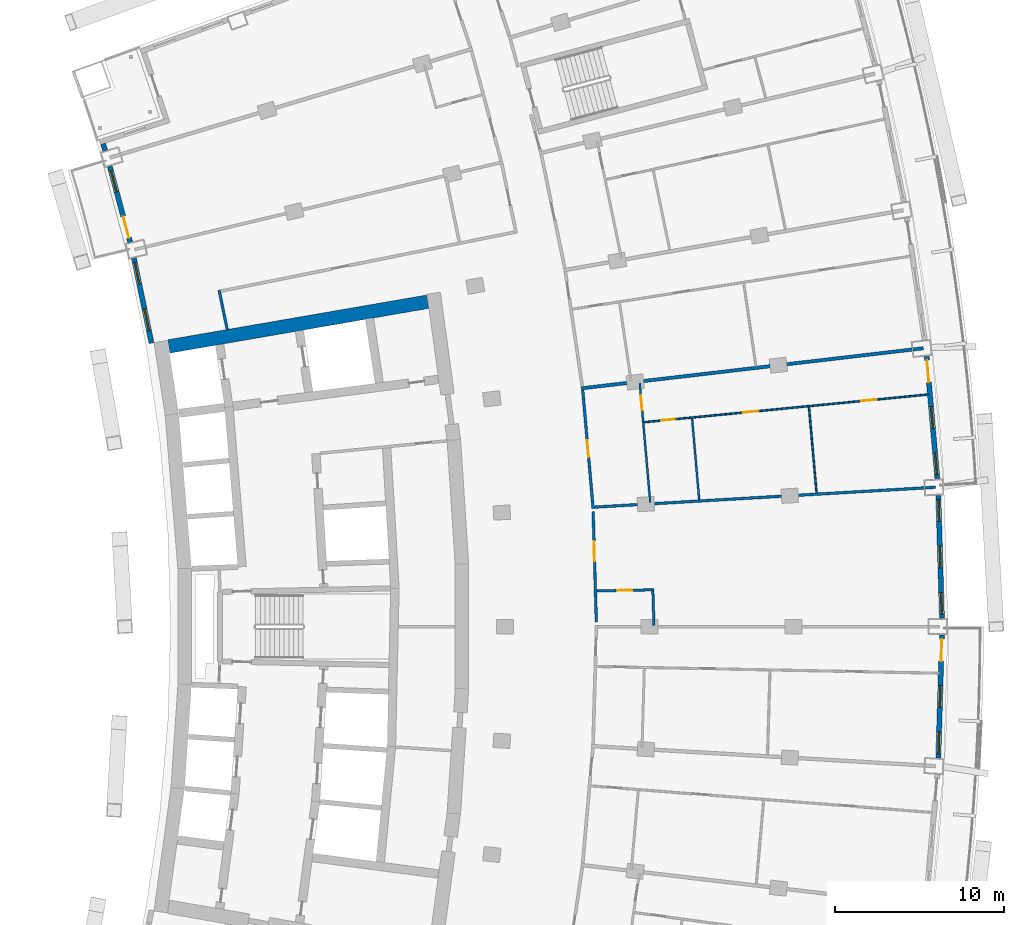
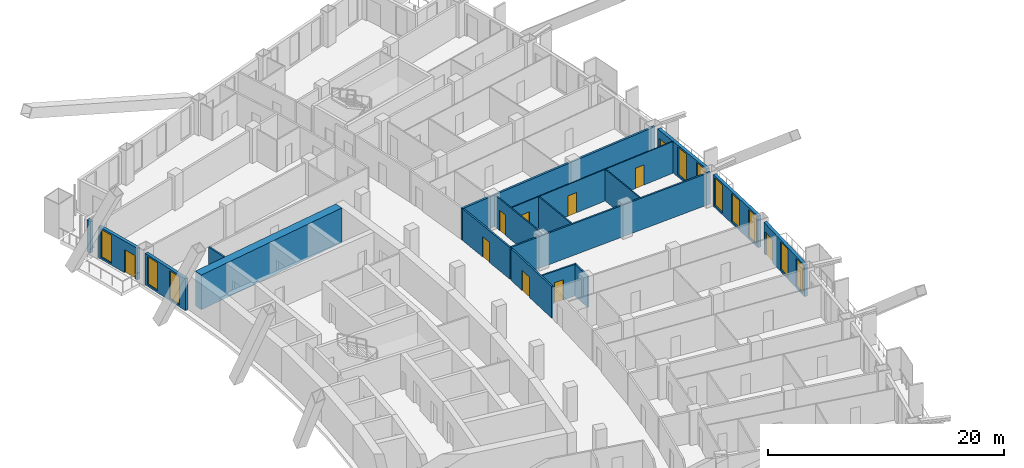
# One storey, part 18 of 25: 18 walls, 10 doors, 10 windows, 20 openings.
"""IFC4 building model written with IfcOpenShell, lengths in metres."""

from ifc_helpers import new_model, si_unit, direction, frame, frame_2d, origin, place, context, subcontext, project, spatial, rectangle, extrude, material, layer, layer_set, type_object, element, fill, save


model = new_model("IFC4")

# Units and contexts
model_context = context("Model", 3, precision=1e-05, world=origin(), true_north=direction((0.0, 1.0)))
body_context = subcontext(model_context, "Body", "Model", "MODEL_VIEW")
ifc_project = project(units=[si_unit("LENGTHUNIT", "METRE"), si_unit("AREAUNIT", "SQUARE_METRE"), si_unit("VOLUMEUNIT", "CUBIC_METRE"), si_unit("PLANEANGLEUNIT", "RADIAN"), si_unit("MASSUNIT", "GRAM", prefix="KILO")], contexts=[model_context])

# Site, building, storey
site_placement = place(None, origin())
site = spatial("IfcSite", under=ifc_project, at=site_placement, CompositionType="ELEMENT")
building_placement = place(site_placement, origin())
building = spatial("IfcBuilding", under=site, at=building_placement, Name="Alderwake Tower", CompositionType="ELEMENT")
storey_placement = place(building_placement, frame((0.0, 0.0, 93.199951171875)))
storey = spatial("IfcBuildingStorey", under=building, at=storey_placement, Name="L22", CompositionType="ELEMENT", Elevation=93.199951171875)

# Walls
ifc_material_1 = material(Name="Concrete C70/85", Category="concrete")
ifc_layer_1 = layer(ifc_material_1, 0.800048828125)
ifc_layer_set_1 = layer_set([ifc_layer_1], Name="Core wall outer 800 C70-85")
wall_type_1 = type_object("IfcWallType", Name="Core wall outer 800 C70-85", PredefinedType="SHEAR", material=ifc_layer_set_1)
wall_1_placement = place(storey_placement, frame((15.900146484375, 77.577880859375, 0.0), z_axis=(0.0, 0.0, 1.0), x_axis=(0.985386601125, 0.170332751763, 0.0)))
element("IfcWall", 1, at=wall_1_placement, inside=storey, type_object=wall_type_1, Name="Core wall CW.054", PredefinedType="SHEAR", context=body_context, shape_type="SweptSolid", body=[
    extrude(rectangle(XDim=15.531494140625, YDim=0.800048828125, at=frame_2d((7.765625, 0.0))), origin(), (0.0, 0.0, 1.0), 3.60009765625),
])
ifc_material_2 = material(Name="Gypsum board on metal studs, rated")
ifc_layer_2 = layer(ifc_material_2, 0.159912109375)
ifc_layer_set_2 = layer_set([ifc_layer_2], Name="Corridor wall 160")
wall_type_2 = type_object("IfcWallType", Name="Corridor wall 160", PredefinedType="PARTITIONING", material=ifc_layer_set_2)
wall_2_placement = place(storey_placement, frame((18.874755859375, 80.910400390625, 0.0), z_axis=(0.0, 0.0, 1.0), x_axis=(0.202312089075, -0.979321100873, 0.0)))
element("IfcWall", 2, at=wall_2_placement, inside=storey, type_object=wall_type_2, Name="WL/L22/W21", PredefinedType="PARTITIONING", context=body_context, shape_type="SweptSolid", body=[
    extrude(rectangle(XDim=2.39306640625, YDim=0.159912109375, at=frame_2d((1.196533203125, 0.0))), origin(), (0.0, 0.0, 1.0), 3.280029296875),
])

# Wall, opening, door
wall_3_placement = place(storey_placement, frame((40.3857421875, 75.00830078125, 0.0), z_axis=(0.0, 0.0, 1.0), x_axis=(0.087430787456, -0.996170596537, 0.0)))
wall_3 = element("IfcWall", 3, at=wall_3_placement, inside=storey, type_object=wall_type_2, Name="WL/L22/W42", PredefinedType="PARTITIONING", context=body_context, shape_type="SweptSolid", body=[
    extrude(rectangle(XDim=7.048095703125, YDim=0.159912109375, at=frame_2d((3.52392578125, 0.0))), origin(), (0.0, 0.0, 1.0), 3.280029296875),
])
opening_1_placement = place(wall_3_placement, frame((2.984619140625, 0.0, 0.0)))
opening_1 = element("IfcOpeningElement", 4, at=opening_1_placement, cuts=wall_3, Name="Opening R06-U09.2", PredefinedType="OPENING", context=body_context, shape_type="SweptSolid", body=[
    extrude(rectangle(XDim=1.0, YDim=2.10009765625, at=frame_2d((0.5, 1.050048828125))), frame((0.0, 0.08984375, 0.0), z_axis=(0.0, -1.0, 0.0), x_axis=(1.0, 0.0, 0.0)), (0.0, 0.0, 1.0), 0.179931640625),
])
ifc_material_3 = material(Name="Solid timber leaf in steel frame", Category="steel")
door_type_1 = type_object("IfcDoorType", Name="Flat entrance door 1000 fire-rated", OperationType="SINGLE_SWING_LEFT", PredefinedType="DOOR", material=ifc_material_3)
door_1_placement = place(opening_1_placement, origin())
door_1 = element("IfcDoor", 5, at=door_1_placement, inside=storey, type_object=door_type_1, Name="DR/L22/U09.2", OperationType="SINGLE_SWING_LEFT", OverallHeight=2.10009765625, OverallWidth=1.0, PredefinedType="DOOR", context=body_context, shape_type="SweptSolid", body=[
    extrude(rectangle(XDim=1.0, YDim=2.10009765625, at=frame_2d((0.5, 1.050048828125))), frame((0.0, 0.02490234375, 0.0), z_axis=(0.0, -1.0, 0.0), x_axis=(1.0, 0.0, 0.0)), (0.0, 0.0, 1.0), 0.050048828125),
])
fill(opening_1, door_1)

wall_4_placement = place(storey_placement, frame((41.002685546875, 67.80029296875, 0.0), z_axis=(0.0, 0.0, 1.0), x_axis=(0.02886788617, -0.999583235728, 0.0)))
wall_4 = element("IfcWall", 6, at=wall_4_placement, inside=storey, type_object=wall_type_2, Name="WL/L22/W43", PredefinedType="PARTITIONING", context=body_context, shape_type="SweptSolid", body=[
    extrude(rectangle(XDim=6.537353515625, YDim=0.159912109375, at=frame_2d((3.2685546875, 0.0))), origin(), (0.0, 0.0, 1.0), 3.280029296875),
])
opening_2_placement = place(wall_4_placement, frame((1.7412109375, 0.0, 0.0)))
opening_2 = element("IfcOpeningElement", 7, at=opening_2_placement, cuts=wall_4, Name="Opening R06-AM1.1", PredefinedType="OPENING", context=body_context, shape_type="SweptSolid", body=[
    extrude(rectangle(XDim=1.199951171875, YDim=2.10009765625, at=frame_2d((0.60009765625, 1.050048828125))), frame((0.0, 0.08984375, 0.0), z_axis=(0.0, -1.0, 0.0), x_axis=(1.0, 0.0, 0.0)), (0.0, 0.0, 1.0), 0.179931640625),
])
ifc_material_4 = material(Name="Steel-framed fire door leaf", Category="steel")
door_type_2 = type_object("IfcDoorType", Name="Lobby door 1200 fire-rated", OperationType="SINGLE_SWING_LEFT", PredefinedType="DOOR", material=ifc_material_4)
door_2_placement = place(opening_2_placement, origin())
door_2 = element("IfcDoor", 8, at=door_2_placement, inside=storey, type_object=door_type_2, Name="DR/L22/AM1.1", OperationType="SINGLE_SWING_LEFT", OverallHeight=2.10009765625, OverallWidth=1.199951171875, PredefinedType="DOOR", context=body_context, shape_type="SweptSolid", body=[
    extrude(rectangle(XDim=1.199951171875, YDim=2.10009765625, at=frame_2d((0.60009765625, 1.050048828125))), frame((0.0, 0.02490234375, 0.0), z_axis=(0.0, -1.0, 0.0), x_axis=(1.0, 0.0, 0.0)), (0.0, 0.0, 1.0), 0.050048828125),
])
fill(opening_2, door_2)

# Wall
wall_5_placement = place(storey_placement, frame((61.260009765625, 69.2490234375, 0.0), z_axis=(0.0, 0.0, 1.0), x_axis=(-0.998303560932, -0.058223708493, 0.0)))
element("IfcWall", 9, at=wall_5_placement, inside=storey, type_object=wall_type_2, Name="WL/L22/W44", PredefinedType="PARTITIONING", context=body_context, shape_type="SweptSolid", body=[
    extrude(rectangle(XDim=20.21923828125, YDim=0.159912109375, at=frame_2d((10.109619140625, 0.0))), origin(), (0.0, 0.0, 1.0), 3.280029296875),
])

# Wall, openings, door, windows
ifc_material_5 = material(Name="Precast concrete C50/60 spandrel panel", Category="concrete")
ifc_layer_3 = layer(ifc_material_5, 0.300048828125)
ifc_layer_set_3 = layer_set([ifc_layer_3], Name="External wall EW1 Precast concrete C50/60 spandrel")
wall_type_3 = type_object("IfcWallType", Name="External wall EW1 Precast concrete C50/60 spandrel", PredefinedType="SOLIDWALL", material=ifc_layer_set_3)
wall_6_placement = place(storey_placement, frame((61.423583984375, 53.240478515625, 0.0), z_axis=(0.0, 0.0, 1.0), x_axis=(0.029172877937, 0.999574381021, 0.0)))
wall_6 = element("IfcWall", 10, at=wall_6_placement, inside=storey, type_object=wall_type_3, Name="External wall 16", PredefinedType="SOLIDWALL", context=body_context, shape_type="SweptSolid", body=[
    extrude(rectangle(XDim=7.26416015625, YDim=0.300048828125, at=frame_2d((3.632080078125, 0.0))), origin(), (0.0, 0.0, 1.0), 3.280029296875),
])
opening_3_placement = place(wall_6_placement, frame((0.23291015625, 0.0, 0.199951171875)))
opening_3 = element("IfcOpeningElement", 11, at=opening_3_placement, cuts=wall_6, Name="Opening W1", PredefinedType="OPENING", context=body_context, shape_type="SweptSolid", body=[
    extrude(rectangle(XDim=1.300048828125, YDim=2.89990234375, at=frame_2d((0.64990234375, 1.449951171875))), frame((0.0, 0.159912109375, 0.0), z_axis=(0.0, -1.0, 0.0), x_axis=(1.0, 0.0, 0.0)), (0.0, 0.0, 1.0), 0.320068359375),
])
opening_4_placement = place(wall_6_placement, frame((2.98193359375, 0.0, 0.199951171875)))
opening_4 = element("IfcOpeningElement", 12, at=opening_4_placement, cuts=wall_6, Name="Opening W1", PredefinedType="OPENING", context=body_context, shape_type="SweptSolid", body=[
    extrude(rectangle(XDim=1.300048828125, YDim=2.89990234375, at=frame_2d((0.64990234375, 1.449951171875))), frame((0.0, 0.159912109375, 0.0), z_axis=(0.0, -1.0, 0.0), x_axis=(1.0, 0.0, 0.0)), (0.0, 0.0, 1.0), 0.320068359375),
])
opening_5_placement = place(wall_6_placement, frame((5.731201171875, 0.0, 0.0)))
opening_5 = element("IfcOpeningElement", 13, at=opening_5_placement, cuts=wall_6, Name="Opening D07", PredefinedType="OPENING", context=body_context, shape_type="SweptSolid", body=[
    extrude(rectangle(XDim=1.300048828125, YDim=2.39990234375, at=frame_2d((0.64990234375, 1.199951171875))), frame((0.0, 0.159912109375, 0.0), z_axis=(0.0, -1.0, 0.0), x_axis=(1.0, 0.0, 0.0)), (0.0, 0.0, 1.0), 0.320068359375),
])
ifc_material_6 = material(Name="Bronze tinted glass in aluminium frame", Category="aluminium")
door_type_3 = type_object("IfcDoorType", Name="Balcony door BD sliding", OperationType="SLIDING_TO_LEFT", PredefinedType="DOOR", material=ifc_material_6)
door_3_placement = place(opening_5_placement, origin())
door_3 = element("IfcDoor", 14, at=door_3_placement, inside=storey, type_object=door_type_3, Name="Door D07", OperationType="SLIDING_TO_LEFT", OverallHeight=2.39990234375, OverallWidth=1.300048828125, PredefinedType="DOOR", context=body_context, shape_type="SweptSolid", body=[
    extrude(rectangle(XDim=1.300048828125, YDim=2.39990234375, at=frame_2d((0.64990234375, 1.199951171875))), frame((0.0, 0.02490234375, 0.0), z_axis=(0.0, -1.0, 0.0), x_axis=(1.0, 0.0, 0.0)), (0.0, 0.0, 1.0), 0.050048828125),
])
fill(opening_5, door_3)
ifc_material_7 = material(Name="Bronze tinted glass in aluminium frame", Category="aluminium")
window_type = type_object("IfcWindowType", Name="Window W1 tall fixed and vent", PartitioningType="DOUBLE_PANEL_VERTICAL", PredefinedType="WINDOW", material=ifc_material_7)
window_1_placement = place(opening_3_placement, origin())
window_1 = element("IfcWindow", 15, at=window_1_placement, inside=storey, type_object=window_type, Name="Window W1 tall fixed and vent", OverallHeight=2.89990234375, OverallWidth=1.300048828125, PartitioningType="DOUBLE_PANEL_VERTICAL", PredefinedType="WINDOW", context=body_context, shape_type="SweptSolid", body=[
    extrude(rectangle(XDim=1.300048828125, YDim=2.89990234375, at=frame_2d((0.64990234375, 1.449951171875))), frame((0.0, 0.030029296875, 0.0), z_axis=(0.0, -1.0, 0.0), x_axis=(1.0, 0.0, 0.0)), (0.0, 0.0, 1.0), 0.06005859375),
])
fill(opening_3, window_1)
window_2_placement = place(opening_4_placement, origin())
window_2 = element("IfcWindow", 16, at=window_2_placement, inside=storey, type_object=window_type, Name="Window W1 tall fixed and vent", OverallHeight=2.89990234375, OverallWidth=1.300048828125, PartitioningType="DOUBLE_PANEL_VERTICAL", PredefinedType="WINDOW", context=body_context, shape_type="SweptSolid", body=[
    extrude(rectangle(XDim=1.300048828125, YDim=2.89990234375, at=frame_2d((0.64990234375, 1.449951171875))), frame((0.0, 0.030029296875, 0.0), z_axis=(0.0, -1.0, 0.0), x_axis=(1.0, 0.0, 0.0)), (0.0, 0.0, 1.0), 0.06005859375),
])
fill(opening_4, window_2)

# Wall, openings, windows
wall_7_placement = place(storey_placement, frame((61.635498046875, 61.49853515625, 0.0), z_axis=(0.0, 0.0, 1.0), x_axis=(-0.029172877937, 0.999574381021, 0.0)))
wall_7 = element("IfcWall", 17, at=wall_7_placement, inside=storey, type_object=wall_type_3, Name="External wall 17", PredefinedType="SOLIDWALL", context=body_context, shape_type="SweptSolid", body=[
    extrude(rectangle(XDim=7.26416015625, YDim=0.300048828125, at=frame_2d((3.632080078125, 0.0))), origin(), (0.0, 0.0, 1.0), 3.280029296875),
])
opening_6_placement = place(wall_7_placement, frame((0.23291015625, 0.0, 0.199951171875)))
opening_6 = element("IfcOpeningElement", 18, at=opening_6_placement, cuts=wall_7, Name="Opening W1", PredefinedType="OPENING", context=body_context, shape_type="SweptSolid", body=[
    extrude(rectangle(XDim=1.300048828125, YDim=2.89990234375, at=frame_2d((0.64990234375, 1.449951171875))), frame((0.0, 0.159912109375, 0.0), z_axis=(0.0, -1.0, 0.0), x_axis=(1.0, 0.0, 0.0)), (0.0, 0.0, 1.0), 0.320068359375),
])
opening_7_placement = place(wall_7_placement, frame((2.98193359375, 0.0, 0.199951171875)))
opening_7 = element("IfcOpeningElement", 19, at=opening_7_placement, cuts=wall_7, Name="Opening W1", PredefinedType="OPENING", context=body_context, shape_type="SweptSolid", body=[
    extrude(rectangle(XDim=1.300048828125, YDim=2.89990234375, at=frame_2d((0.64990234375, 1.449951171875))), frame((0.0, 0.159912109375, 0.0), z_axis=(0.0, -1.0, 0.0), x_axis=(1.0, 0.0, 0.0)), (0.0, 0.0, 1.0), 0.320068359375),
])
opening_8_placement = place(wall_7_placement, frame((5.731201171875, 0.0, 0.199951171875)))
opening_8 = element("IfcOpeningElement", 20, at=opening_8_placement, cuts=wall_7, Name="Opening W1", PredefinedType="OPENING", context=body_context, shape_type="SweptSolid", body=[
    extrude(rectangle(XDim=1.300048828125, YDim=2.89990234375, at=frame_2d((0.64990234375, 1.449951171875))), frame((0.0, 0.159912109375, 0.0), z_axis=(0.0, -1.0, 0.0), x_axis=(1.0, 0.0, 0.0)), (0.0, 0.0, 1.0), 0.320068359375),
])
window_3_placement = place(opening_6_placement, origin())
window_3 = element("IfcWindow", 21, at=window_3_placement, inside=storey, type_object=window_type, Name="Window W1 tall fixed and vent", OverallHeight=2.89990234375, OverallWidth=1.300048828125, PartitioningType="DOUBLE_PANEL_VERTICAL", PredefinedType="WINDOW", context=body_context, shape_type="SweptSolid", body=[
    extrude(rectangle(XDim=1.300048828125, YDim=2.89990234375, at=frame_2d((0.64990234375, 1.449951171875))), frame((0.0, 0.030029296875, 0.0), z_axis=(0.0, -1.0, 0.0), x_axis=(1.0, 0.0, 0.0)), (0.0, 0.0, 1.0), 0.06005859375),
])
fill(opening_6, window_3)
window_4_placement = place(opening_7_placement, origin())
window_4 = element("IfcWindow", 22, at=window_4_placement, inside=storey, type_object=window_type, Name="Window W1 tall fixed and vent", OverallHeight=2.89990234375, OverallWidth=1.300048828125, PartitioningType="DOUBLE_PANEL_VERTICAL", PredefinedType="WINDOW", context=body_context, shape_type="SweptSolid", body=[
    extrude(rectangle(XDim=1.300048828125, YDim=2.89990234375, at=frame_2d((0.64990234375, 1.449951171875))), frame((0.0, 0.030029296875, 0.0), z_axis=(0.0, -1.0, 0.0), x_axis=(1.0, 0.0, 0.0)), (0.0, 0.0, 1.0), 0.06005859375),
])
fill(opening_7, window_4)
window_5_placement = place(opening_8_placement, origin())
window_5 = element("IfcWindow", 23, at=window_5_placement, inside=storey, type_object=window_type, Name="Window W1 tall fixed and vent", OverallHeight=2.89990234375, OverallWidth=1.300048828125, PartitioningType="DOUBLE_PANEL_VERTICAL", PredefinedType="WINDOW", context=body_context, shape_type="SweptSolid", body=[
    extrude(rectangle(XDim=1.300048828125, YDim=2.89990234375, at=frame_2d((0.64990234375, 1.449951171875))), frame((0.0, 0.030029296875, 0.0), z_axis=(0.0, -1.0, 0.0), x_axis=(1.0, 0.0, 0.0)), (0.0, 0.0, 1.0), 0.06005859375),
])
fill(opening_8, window_5)

# Wall, openings, door, windows
wall_8_placement = place(storey_placement, frame((61.365478515625, 69.755126953125, 0.0), z_axis=(0.0, 0.0, 1.0), x_axis=(-0.087383747715, 0.996174723949, 0.0)))
wall_8 = element("IfcWall", 24, at=wall_8_placement, inside=storey, type_object=wall_type_3, Name="External wall 18", PredefinedType="SOLIDWALL", context=body_context, shape_type="SweptSolid", body=[
    extrude(rectangle(XDim=7.26416015625, YDim=0.300048828125, at=frame_2d((3.632080078125, 0.0))), origin(), (0.0, 0.0, 1.0), 3.280029296875),
])
opening_9_placement = place(wall_8_placement, frame((0.23291015625, 0.0, 0.199951171875)))
opening_9 = element("IfcOpeningElement", 25, at=opening_9_placement, cuts=wall_8, Name="Opening W1", PredefinedType="OPENING", context=body_context, shape_type="SweptSolid", body=[
    extrude(rectangle(XDim=1.300048828125, YDim=2.89990234375, at=frame_2d((0.64990234375, 1.449951171875))), frame((0.0, 0.159912109375, 0.0), z_axis=(0.0, -1.0, 0.0), x_axis=(1.0, 0.0, 0.0)), (0.0, 0.0, 1.0), 0.320068359375),
])
opening_10_placement = place(wall_8_placement, frame((2.98193359375, 0.0, 0.199951171875)))
opening_10 = element("IfcOpeningElement", 26, at=opening_10_placement, cuts=wall_8, Name="Opening W1", PredefinedType="OPENING", context=body_context, shape_type="SweptSolid", body=[
    extrude(rectangle(XDim=1.300048828125, YDim=2.89990234375, at=frame_2d((0.64990234375, 1.449951171875))), frame((0.0, 0.159912109375, 0.0), z_axis=(0.0, -1.0, 0.0), x_axis=(1.0, 0.0, 0.0)), (0.0, 0.0, 1.0), 0.320068359375),
])
opening_11_placement = place(wall_8_placement, frame((5.731201171875, 0.0, 0.0)))
opening_11 = element("IfcOpeningElement", 27, at=opening_11_placement, cuts=wall_8, Name="Opening D08", PredefinedType="OPENING", context=body_context, shape_type="SweptSolid", body=[
    extrude(rectangle(XDim=1.300048828125, YDim=2.39990234375, at=frame_2d((0.64990234375, 1.199951171875))), frame((0.0, 0.159912109375, 0.0), z_axis=(0.0, -1.0, 0.0), x_axis=(1.0, 0.0, 0.0)), (0.0, 0.0, 1.0), 0.320068359375),
])
door_4_placement = place(opening_11_placement, origin())
door_4 = element("IfcDoor", 28, at=door_4_placement, inside=storey, type_object=door_type_3, Name="Door D08", OperationType="SLIDING_TO_LEFT", OverallHeight=2.39990234375, OverallWidth=1.300048828125, PredefinedType="DOOR", context=body_context, shape_type="SweptSolid", body=[
    extrude(rectangle(XDim=1.300048828125, YDim=2.39990234375, at=frame_2d((0.64990234375, 1.199951171875))), frame((0.0, 0.02490234375, 0.0), z_axis=(0.0, -1.0, 0.0), x_axis=(1.0, 0.0, 0.0)), (0.0, 0.0, 1.0), 0.050048828125),
])
fill(opening_11, door_4)
window_6_placement = place(opening_9_placement, origin())
window_6 = element("IfcWindow", 29, at=window_6_placement, inside=storey, type_object=window_type, Name="Window W1 tall fixed and vent", OverallHeight=2.89990234375, OverallWidth=1.300048828125, PartitioningType="DOUBLE_PANEL_VERTICAL", PredefinedType="WINDOW", context=body_context, shape_type="SweptSolid", body=[
    extrude(rectangle(XDim=1.300048828125, YDim=2.89990234375, at=frame_2d((0.64990234375, 1.449951171875))), frame((0.0, 0.030029296875, 0.0), z_axis=(0.0, -1.0, 0.0), x_axis=(1.0, 0.0, 0.0)), (0.0, 0.0, 1.0), 0.06005859375),
])
fill(opening_9, window_6)
window_7_placement = place(opening_10_placement, origin())
window_7 = element("IfcWindow", 30, at=window_7_placement, inside=storey, type_object=window_type, Name="Window W1 tall fixed and vent", OverallHeight=2.89990234375, OverallWidth=1.300048828125, PartitioningType="DOUBLE_PANEL_VERTICAL", PredefinedType="WINDOW", context=body_context, shape_type="SweptSolid", body=[
    extrude(rectangle(XDim=1.300048828125, YDim=2.89990234375, at=frame_2d((0.64990234375, 1.449951171875))), frame((0.0, 0.030029296875, 0.0), z_axis=(0.0, -1.0, 0.0), x_axis=(1.0, 0.0, 0.0)), (0.0, 0.0, 1.0), 0.06005859375),
])
fill(opening_10, window_7)

# Wall
wall_9_placement = place(storey_placement, frame((12.01416015625, 89.5703125, 0.0), z_axis=(0.0, 0.0, 1.0), x_axis=(0.294567190983, -0.955630770746, 0.0)))
element("IfcWall", 31, at=wall_9_placement, inside=storey, type_object=wall_type_3, Name="External wall 32", PredefinedType="SOLIDWALL", context=body_context, shape_type="SweptSolid", body=[
    extrude(rectangle(XDim=0.427734375, YDim=0.300048828125, at=frame_2d((0.2138671875, 0.0))), origin(), (0.0, 0.0, 1.0), 3.280029296875),
])

# Wall, openings, door, window
wall_10_placement = place(storey_placement, frame((12.406494140625, 88.237548828125, 0.0), z_axis=(0.0, 0.0, 1.0), x_axis=(0.259468933642, -0.965751454814, 0.0)))
wall_10 = element("IfcWall", 32, at=wall_10_placement, inside=storey, type_object=wall_type_3, Name="External wall 33", PredefinedType="SOLIDWALL", context=body_context, shape_type="SweptSolid", body=[
    extrude(rectangle(XDim=4.65087890625, YDim=0.300048828125, at=frame_2d((2.325439453125, 0.0))), origin(), (0.0, 0.0, 1.0), 3.280029296875),
])
opening_12_placement = place(wall_10_placement, frame((0.26708984375, 0.0, 0.199951171875)))
opening_12 = element("IfcOpeningElement", 33, at=opening_12_placement, cuts=wall_10, Name="Opening W1", PredefinedType="OPENING", context=body_context, shape_type="SweptSolid", body=[
    extrude(rectangle(XDim=1.300048828125, YDim=2.89990234375, at=frame_2d((0.64990234375, 1.449951171875))), frame((0.0, 0.159912109375, 0.0), z_axis=(0.0, -1.0, 0.0), x_axis=(1.0, 0.0, 0.0)), (0.0, 0.0, 1.0), 0.320068359375),
])
opening_13_placement = place(wall_10_placement, frame((3.083984375, 0.0, 0.0)))
opening_13 = element("IfcOpeningElement", 34, at=opening_13_placement, cuts=wall_10, Name="Opening D14", PredefinedType="OPENING", context=body_context, shape_type="SweptSolid", body=[
    extrude(rectangle(XDim=1.300048828125, YDim=2.39990234375, at=frame_2d((0.64990234375, 1.199951171875))), frame((0.0, 0.159912109375, 0.0), z_axis=(0.0, -1.0, 0.0), x_axis=(1.0, 0.0, 0.0)), (0.0, 0.0, 1.0), 0.320068359375),
])
door_5_placement = place(opening_13_placement, origin())
door_5 = element("IfcDoor", 35, at=door_5_placement, inside=storey, type_object=door_type_3, Name="Door D14", OperationType="SLIDING_TO_LEFT", OverallHeight=2.39990234375, OverallWidth=1.300048828125, PredefinedType="DOOR", context=body_context, shape_type="SweptSolid", body=[
    extrude(rectangle(XDim=1.300048828125, YDim=2.39990234375, at=frame_2d((0.64990234375, 1.199951171875))), frame((0.0, 0.02490234375, 0.0), z_axis=(0.0, -1.0, 0.0), x_axis=(1.0, 0.0, 0.0)), (0.0, 0.0, 1.0), 0.050048828125),
])
fill(opening_13, door_5)
window_8_placement = place(opening_12_placement, origin())
window_8 = element("IfcWindow", 36, at=window_8_placement, inside=storey, type_object=window_type, Name="Window W1 tall fixed and vent", OverallHeight=2.89990234375, OverallWidth=1.300048828125, PartitioningType="DOUBLE_PANEL_VERTICAL", PredefinedType="WINDOW", context=body_context, shape_type="SweptSolid", body=[
    extrude(rectangle(XDim=1.300048828125, YDim=2.89990234375, at=frame_2d((0.64990234375, 1.449951171875))), frame((0.0, 0.030029296875, 0.0), z_axis=(0.0, -1.0, 0.0), x_axis=(1.0, 0.0, 0.0)), (0.0, 0.0, 1.0), 0.06005859375),
])
fill(opening_12, window_8)

# Wall, openings, windows
wall_11_placement = place(storey_placement, frame((13.83740234375, 82.803955078125, 0.0), z_axis=(0.0, 0.0, 1.0), x_axis=(0.202723539143, -0.979236011734, 0.0)))
wall_11 = element("IfcWall", 37, at=wall_11_placement, inside=storey, type_object=wall_type_3, Name="External wall 34", PredefinedType="SOLIDWALL", context=body_context, shape_type="SweptSolid", body=[
    extrude(rectangle(XDim=5.134033203125, YDim=0.300048828125, at=frame_2d((2.56689453125, 0.0))), origin(), (0.0, 0.0, 1.0), 3.280029296875),
])
opening_14_placement = place(wall_11_placement, frame((0.264892578125, 0.0, 0.199951171875)))
opening_14 = element("IfcOpeningElement", 38, at=opening_14_placement, cuts=wall_11, Name="Opening W1", PredefinedType="OPENING", context=body_context, shape_type="SweptSolid", body=[
    extrude(rectangle(XDim=1.300048828125, YDim=2.89990234375, at=frame_2d((0.64990234375, 1.449951171875))), frame((0.0, 0.159912109375, 0.0), z_axis=(0.0, -1.0, 0.0), x_axis=(1.0, 0.0, 0.0)), (0.0, 0.0, 1.0), 0.320068359375),
])
opening_15_placement = place(wall_11_placement, frame((3.077392578125, 0.0, 0.199951171875)))
opening_15 = element("IfcOpeningElement", 39, at=opening_15_placement, cuts=wall_11, Name="Opening W1", PredefinedType="OPENING", context=body_context, shape_type="SweptSolid", body=[
    extrude(rectangle(XDim=1.300048828125, YDim=2.89990234375, at=frame_2d((0.64990234375, 1.449951171875))), frame((0.0, 0.159912109375, 0.0), z_axis=(0.0, -1.0, 0.0), x_axis=(1.0, 0.0, 0.0)), (0.0, 0.0, 1.0), 0.320068359375),
])
window_9_placement = place(opening_14_placement, origin())
window_9 = element("IfcWindow", 40, at=window_9_placement, inside=storey, type_object=window_type, Name="Window W1 tall fixed and vent", OverallHeight=2.89990234375, OverallWidth=1.300048828125, PartitioningType="DOUBLE_PANEL_VERTICAL", PredefinedType="WINDOW", context=body_context, shape_type="SweptSolid", body=[
    extrude(rectangle(XDim=1.300048828125, YDim=2.89990234375, at=frame_2d((0.64990234375, 1.449951171875))), frame((0.0, 0.030029296875, 0.0), z_axis=(0.0, -1.0, 0.0), x_axis=(1.0, 0.0, 0.0)), (0.0, 0.0, 1.0), 0.06005859375),
])
fill(opening_14, window_9)
window_10_placement = place(opening_15_placement, origin())
window_10 = element("IfcWindow", 41, at=window_10_placement, inside=storey, type_object=window_type, Name="Window W1 tall fixed and vent", OverallHeight=2.89990234375, OverallWidth=1.300048828125, PartitioningType="DOUBLE_PANEL_VERTICAL", PredefinedType="WINDOW", context=body_context, shape_type="SweptSolid", body=[
    extrude(rectangle(XDim=1.300048828125, YDim=2.89990234375, at=frame_2d((0.64990234375, 1.449951171875))), frame((0.0, 0.030029296875, 0.0), z_axis=(0.0, -1.0, 0.0), x_axis=(1.0, 0.0, 0.0)), (0.0, 0.0, 1.0), 0.06005859375),
])
fill(opening_15, window_10)

# Wall
ifc_material_8 = material(Name="Dense block masonry wall", Category="masonry")
ifc_layer_4 = layer(ifc_material_8, 0.199951171875)
ifc_layer_set_4 = layer_set([ifc_layer_4], Name="Party wall 200")
wall_type_4 = type_object("IfcWallType", Name="Party wall 200", PredefinedType="SOLIDWALL", material=ifc_layer_set_4)
wall_12_placement = place(storey_placement, frame((60.537109375, 77.471923828125, 0.0), z_axis=(0.0, 0.0, 1.0), x_axis=(-0.99319510115, -0.11646240188, 0.0)))
element("IfcWall", 42, at=wall_12_placement, inside=storey, type_object=wall_type_4, Name="WL/L22/W12", PredefinedType="SOLIDWALL", context=body_context, shape_type="SweptSolid", body=[
    extrude(rectangle(XDim=20.378173828125, YDim=0.199951171875, at=frame_2d((10.18896484375, 0.0))), origin(), (0.0, 0.0, 1.0), 3.280029296875),
])

# Wall, opening, door
ifc_material_9 = material(Name="Gypsum shaft wall system, rated")
ifc_layer_5 = layer(ifc_material_9, 0.14990234375)
ifc_layer_set_5 = layer_set([ifc_layer_5], Name="Riser and shaft wall 150")
wall_type_5 = type_object("IfcWallType", Name="Riser and shaft wall 150", PredefinedType="PARTITIONING", material=ifc_layer_set_5)
wall_13_placement = place(storey_placement, frame((44.610107421875, 63.181396484375, 0.0), z_axis=(0.0, 0.0, 1.0), x_axis=(-0.999843204507, -0.017707806214, 0.0)))
wall_13 = element("IfcWall", 43, at=wall_13_placement, inside=storey, type_object=wall_type_5, Name="WL/L22/W16", PredefinedType="PARTITIONING", context=body_context, shape_type="SweptSolid", body=[
    extrude(rectangle(XDim=3.3916015625, YDim=0.14990234375, at=frame_2d((1.69580078125, 0.0))), origin(), (0.0, 0.0, 1.0), 3.280029296875),
])
opening_16_placement = place(wall_13_placement, frame((1.28271484375, 0.0, 0.0)))
opening_16 = element("IfcOpeningElement", 44, at=opening_16_placement, cuts=wall_13, Name="Opening R06-AM1.2", PredefinedType="OPENING", context=body_context, shape_type="SweptSolid", body=[
    extrude(rectangle(XDim=0.89990234375, YDim=2.10009765625, at=frame_2d((0.449951171875, 1.050048828125))), frame((0.0, 0.0849609375, 0.0), z_axis=(0.0, -1.0, 0.0), x_axis=(1.0, 0.0, 0.0)), (0.0, 0.0, 1.0), 0.169921875),
])
ifc_material_10 = material(Name="Painted timber leaf", Category="wood")
door_type_4 = type_object("IfcDoorType", Name="Room door 900", OperationType="SINGLE_SWING_LEFT", PredefinedType="DOOR", material=ifc_material_10)
door_6_placement = place(opening_16_placement, origin())
door_6 = element("IfcDoor", 45, at=door_6_placement, inside=storey, type_object=door_type_4, Name="DR/L22/AM1.2", OperationType="SINGLE_SWING_LEFT", OverallHeight=2.10009765625, OverallWidth=0.89990234375, PredefinedType="DOOR", context=body_context, shape_type="SweptSolid", body=[
    extrude(rectangle(XDim=0.89990234375, YDim=2.10009765625, at=frame_2d((0.449951171875, 1.050048828125))), frame((0.0, 0.02490234375, 0.0), z_axis=(0.0, -1.0, 0.0), x_axis=(1.0, 0.0, 0.0)), (0.0, 0.0, 1.0), 0.050048828125),
])
fill(opening_16, door_6)

# Wall
wall_14_placement = place(storey_placement, frame((44.5986328125, 61.0791015625, 0.0), z_axis=(0.0, 0.0, 1.0), x_axis=(-0.030234424158, 0.999542835298, 0.0)))
element("IfcWall", 46, at=wall_14_placement, inside=storey, type_object=wall_type_5, Name="WL/L22/W17", PredefinedType="PARTITIONING", context=body_context, shape_type="SweptSolid", body=[
    extrude(rectangle(XDim=2.02685546875, YDim=0.14990234375, at=frame_2d((1.013427734375, 0.0))), origin(), (0.0, 0.0, 1.0), 3.280029296875),
])

# Wall, openings, doors
ifc_material_11 = material(Name="Gypsum board on metal studs")
ifc_layer_6 = layer(ifc_material_11, 0.10009765625)
ifc_layer_set_6 = layer_set([ifc_layer_6], Name="Unit partition 100")
wall_type_6 = type_object("IfcWallType", Name="Unit partition 100", PredefinedType="PARTITIONING", material=ifc_layer_set_6)
wall_15_placement = place(storey_placement, frame((60.827880859375, 74.736083984375, 0.0), z_axis=(0.0, 0.0, 1.0), x_axis=(-0.995281244232, -0.097032184767, 0.0)))
wall_15 = element("IfcWall", 47, at=wall_15_placement, inside=storey, type_object=wall_type_6, Name="WL/L22/W78", PredefinedType="PARTITIONING", context=body_context, shape_type="SweptSolid", body=[
    extrude(rectangle(XDim=16.8828125, YDim=0.10009765625, at=frame_2d((8.44140625, 0.0))), origin(), (0.0, 0.0, 1.0), 3.280029296875),
])
opening_17_placement = place(wall_15_placement, frame((10.11962890625, 0.0, 0.0)))
opening_17 = element("IfcOpeningElement", 48, at=opening_17_placement, cuts=wall_15, Name="Opening R06-U09.1", PredefinedType="OPENING", context=body_context, shape_type="SweptSolid", body=[
    extrude(rectangle(XDim=0.89990234375, YDim=2.10009765625, at=frame_2d((0.449951171875, 1.050048828125))), frame((0.0, 0.06005859375, 0.0), z_axis=(0.0, -1.0, 0.0), x_axis=(1.0, 0.0, 0.0)), (0.0, 0.0, 1.0), 0.1201171875),
])
opening_18_placement = place(wall_15_placement, frame((15.063720703125, 0.0, 0.0)))
opening_18 = element("IfcOpeningElement", 49, at=opening_18_placement, cuts=wall_15, Name="Opening R06-U09.4", PredefinedType="OPENING", context=body_context, shape_type="SweptSolid", body=[
    extrude(rectangle(XDim=0.800048828125, YDim=2.10009765625, at=frame_2d((0.39990234375, 1.050048828125))), frame((0.0, 0.06005859375, 0.0), z_axis=(0.0, -1.0, 0.0), x_axis=(1.0, 0.0, 0.0)), (0.0, 0.0, 1.0), 0.1201171875),
])
opening_19_placement = place(wall_15_placement, frame((3.097412109375, 0.0, 0.0)))
opening_19 = element("IfcOpeningElement", 50, at=opening_19_placement, cuts=wall_15, Name="Opening R06-U09.5", PredefinedType="OPENING", context=body_context, shape_type="SweptSolid", body=[
    extrude(rectangle(XDim=0.89990234375, YDim=2.10009765625, at=frame_2d((0.449951171875, 1.050048828125))), frame((0.0, 0.06005859375, 0.0), z_axis=(0.0, -1.0, 0.0), x_axis=(1.0, 0.0, 0.0)), (0.0, 0.0, 1.0), 0.1201171875),
])
ifc_material_12 = material(Name="Painted timber leaf", Category="wood")
door_type_5 = type_object("IfcDoorType", Name="Bathroom door 800", OperationType="SINGLE_SWING_LEFT", PredefinedType="DOOR", material=ifc_material_12)
door_7_placement = place(opening_18_placement, origin())
door_7 = element("IfcDoor", 51, at=door_7_placement, inside=storey, type_object=door_type_5, Name="DR/L22/U09.4", OperationType="SINGLE_SWING_LEFT", OverallHeight=2.10009765625, OverallWidth=0.800048828125, PredefinedType="DOOR", context=body_context, shape_type="SweptSolid", body=[
    extrude(rectangle(XDim=0.800048828125, YDim=2.10009765625, at=frame_2d((0.39990234375, 1.050048828125))), frame((0.0, 0.02490234375, 0.0), z_axis=(0.0, -1.0, 0.0), x_axis=(1.0, 0.0, 0.0)), (0.0, 0.0, 1.0), 0.050048828125),
])
fill(opening_18, door_7)
door_8_placement = place(opening_17_placement, origin())
door_8 = element("IfcDoor", 52, at=door_8_placement, inside=storey, type_object=door_type_4, Name="DR/L22/U09.1", OperationType="SINGLE_SWING_LEFT", OverallHeight=2.10009765625, OverallWidth=0.89990234375, PredefinedType="DOOR", context=body_context, shape_type="SweptSolid", body=[
    extrude(rectangle(XDim=0.89990234375, YDim=2.10009765625, at=frame_2d((0.449951171875, 1.050048828125))), frame((0.0, 0.02490234375, 0.0), z_axis=(0.0, -1.0, 0.0), x_axis=(1.0, 0.0, 0.0)), (0.0, 0.0, 1.0), 0.050048828125),
])
fill(opening_17, door_8)
door_9_placement = place(opening_19_placement, origin())
door_9 = element("IfcDoor", 53, at=door_9_placement, inside=storey, type_object=door_type_4, Name="DR/L22/U09.5", OperationType="SINGLE_SWING_LEFT", OverallHeight=2.10009765625, OverallWidth=0.89990234375, PredefinedType="DOOR", context=body_context, shape_type="SweptSolid", body=[
    extrude(rectangle(XDim=0.89990234375, YDim=2.10009765625, at=frame_2d((0.449951171875, 1.050048828125))), frame((0.0, 0.02490234375, 0.0), z_axis=(0.0, -1.0, 0.0), x_axis=(1.0, 0.0, 0.0)), (0.0, 0.0, 1.0), 0.050048828125),
])
fill(opening_19, door_9)

# Wall
wall_16_placement = place(storey_placement, frame((54.218017578125, 68.917724609375, 0.0), z_axis=(0.0, 0.0, 1.0), x_axis=(-0.087780602515, 0.996139832464, 0.0)))
element("IfcWall", 54, at=wall_16_placement, inside=storey, type_object=wall_type_6, Name="WL/L22/W89", PredefinedType="PARTITIONING", context=body_context, shape_type="SweptSolid", body=[
    extrude(rectangle(XDim=5.09814453125, YDim=0.10009765625, at=frame_2d((2.549072265625, 0.0))), origin(), (0.0, 0.0, 1.0), 3.280029296875),
])

# Wall, opening, door
ifc_material_13 = material(Name="Moisture resistant gypsum board on metal studs")
ifc_layer_7 = layer(ifc_material_13, 0.1201171875)
ifc_layer_set_7 = layer_set([ifc_layer_7], Name="Wet room partition 120")
wall_type_7 = type_object("IfcWallType", Name="Wet room partition 120", PredefinedType="PARTITIONING", material=ifc_layer_set_7)
wall_17_placement = place(storey_placement, frame((43.7607421875, 75.404296875, 0.0), z_axis=(0.0, 0.0, 1.0), x_axis=(0.087537888568, -0.996161190805, 0.0)))
wall_17 = element("IfcWall", 55, at=wall_17_placement, inside=storey, type_object=wall_type_7, Name="WL/L22/W62", PredefinedType="PARTITIONING", context=body_context, shape_type="SweptSolid", body=[
    extrude(rectangle(XDim=7.086669921875, YDim=0.1201171875, at=frame_2d((3.54345703125, 0.0))), origin(), (0.0, 0.0, 1.0), 3.280029296875),
])
opening_20_placement = place(wall_17_placement, frame((0.71142578125, 0.0, 0.0)))
opening_20 = element("IfcOpeningElement", 56, at=opening_20_placement, cuts=wall_17, Name="Opening R06-U09.3", PredefinedType="OPENING", context=body_context, shape_type="SweptSolid", body=[
    extrude(rectangle(XDim=0.89990234375, YDim=2.10009765625, at=frame_2d((0.449951171875, 1.050048828125))), frame((0.0, 0.070068359375, 0.0), z_axis=(0.0, -1.0, 0.0), x_axis=(1.0, 0.0, 0.0)), (0.0, 0.0, 1.0), 0.14013671875),
])
door_10_placement = place(opening_20_placement, origin())
door_10 = element("IfcDoor", 57, at=door_10_placement, inside=storey, type_object=door_type_4, Name="DR/L22/U09.3", OperationType="SINGLE_SWING_LEFT", OverallHeight=2.10009765625, OverallWidth=0.89990234375, PredefinedType="DOOR", context=body_context, shape_type="SweptSolid", body=[
    extrude(rectangle(XDim=0.89990234375, YDim=2.10009765625, at=frame_2d((0.449951171875, 1.050048828125))), frame((0.0, 0.02490234375, 0.0), z_axis=(0.0, -1.0, 0.0), x_axis=(1.0, 0.0, 0.0)), (0.0, 0.0, 1.0), 0.050048828125),
])
fill(opening_20, door_10)

# Wall
wall_18_placement = place(storey_placement, frame((47.27587890625, 68.5126953125, 0.0), z_axis=(0.0, 0.0, 1.0), x_axis=(-0.087096677779, 0.996199863843, 0.0)))
element("IfcWall", 58, at=wall_18_placement, inside=storey, type_object=wall_type_7, Name="WL/L22/W69", PredefinedType="PARTITIONING", context=body_context, shape_type="SweptSolid", body=[
    extrude(rectangle(XDim=4.826904296875, YDim=0.1201171875, at=frame_2d((2.41357421875, 0.0))), origin(), (0.0, 0.0, 1.0), 3.280029296875),
])

save(model, "model.ifc")
